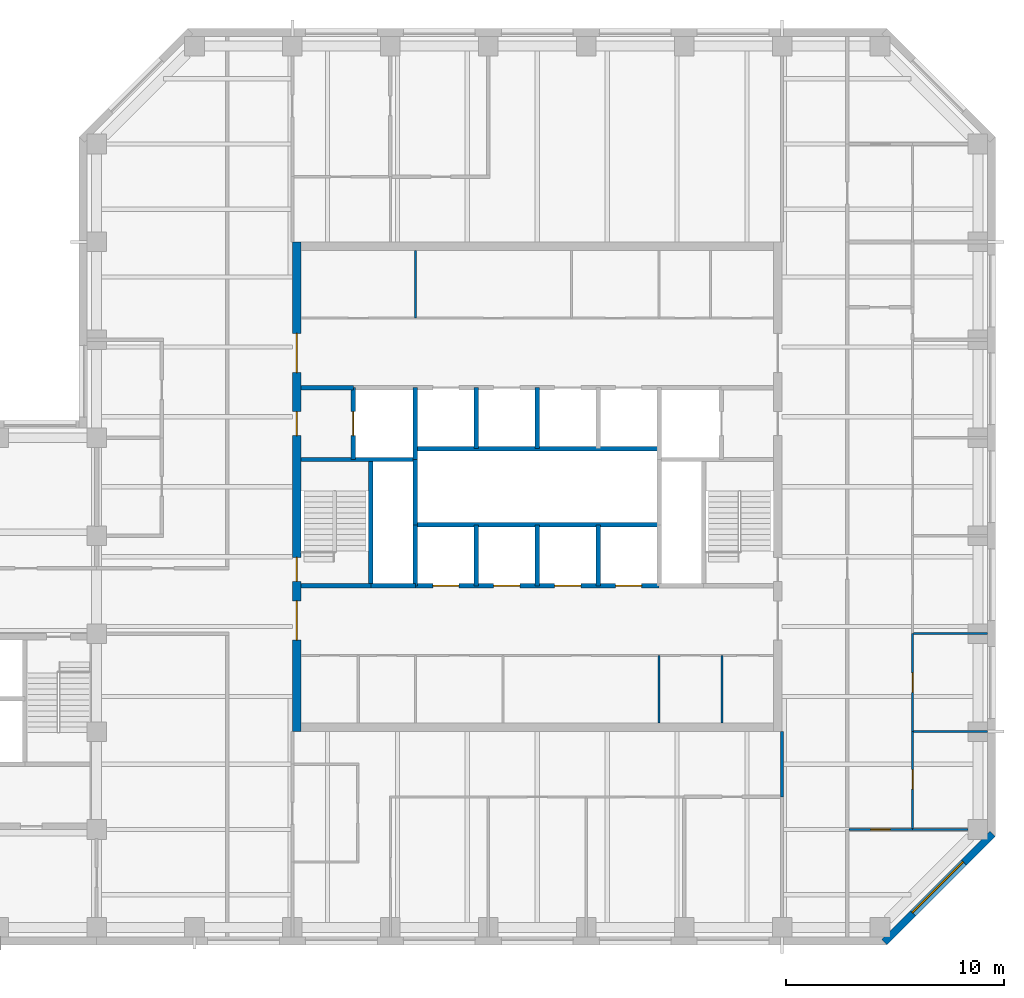
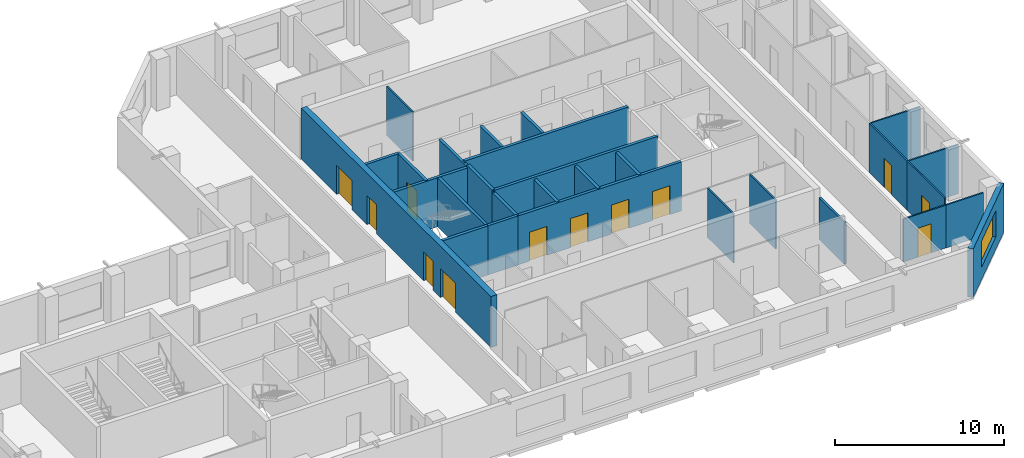
# One storey, part 5 of 9: 29 walls, 12 doors, 1 window, 13 openings.
"""IFC4 building model written with IfcOpenShell, lengths in metres."""

from ifc_helpers import new_model, si_unit, direction, frame, frame_2d, origin, place, context, subcontext, project, spatial, rectangle, extrude, material, layer, layer_set, constituent, constituent_set, type_object, element, fill, save


model = new_model("IFC4")

# Units and contexts
model_context = context("Model", 3, precision=1e-05, world=origin(), true_north=direction((0.0, 1.0)))
body_context = subcontext(model_context, "Body", "Model", "MODEL_VIEW")
ifc_project = project(units=[si_unit("LENGTHUNIT", "METRE"), si_unit("AREAUNIT", "SQUARE_METRE"), si_unit("VOLUMEUNIT", "CUBIC_METRE"), si_unit("PLANEANGLEUNIT", "RADIAN"), si_unit("MASSUNIT", "GRAM", prefix="KILO")], contexts=[model_context])

# Site, building, storey
site_placement = place(None, origin())
site = spatial("IfcSite", under=ifc_project, at=site_placement, CompositionType="ELEMENT")
building_placement = place(site_placement, origin())
building = spatial("IfcBuilding", under=site, at=building_placement, Name="Quoin Convention Tower", CompositionType="ELEMENT")
storey_placement = place(building_placement, frame((0.0, 0.0, 199.5)))
storey = spatial("IfcBuildingStorey", under=building, at=storey_placement, Name="L52", CompositionType="ELEMENT", Elevation=199.5)

# Wall, opening, window
ifc_material_1 = material(Name="Brick masonry", Category="masonry")
ifc_layer_1 = layer(ifc_material_1, 0.35009765625)
ifc_layer_set_1 = layer_set([ifc_layer_1], Name="Brick masonry")
wall_type_1 = type_object("IfcWallType", Name="Brick facade wall", PredefinedType="STANDARD", material=ifc_layer_set_1)
wall_1_placement = place(storey_placement, frame((72.20751953125, 39.82373046875, 0.0), z_axis=(0.0, 0.0, 1.0), x_axis=(0.707106781187, 0.707106781187, 0.0)))
wall_1 = element("IfcWall", 1, at=wall_1_placement, inside=storey, type_object=wall_type_1, Name="fw-L52-72000_40500", PredefinedType="STANDARD", context=body_context, shape_type="SweptSolid", body=[
    extrude(rectangle(XDim=7.02685546875, YDim=0.35009765625, at=frame_2d((3.513427734375, 0.0))), origin(), (0.0, 0.0, 1.0), 3.52490234375),
])
opening_1_placement = place(wall_1_placement, frame((1.86328125, 0.0, 0.89990234375)))
opening_1 = element("IfcOpeningElement", 2, at=opening_1_placement, cuts=wall_1, Name="Opening W-02", PredefinedType="OPENING", context=body_context, shape_type="SweptSolid", body=[
    extrude(rectangle(XDim=3.300048828125, YDim=1.89990234375, at=frame_2d((1.64990234375, 0.949951171875))), frame((0.0, 0.18505859375, 0.0), z_axis=(0.0, -1.0, 0.0), x_axis=(1.0, 0.0, 0.0)), (0.0, 0.0, 1.0), 0.3701171875),
])
ifc_material_2 = material(Name="Aluminium", Category="aluminium")
ifc_constituent_1 = constituent(ifc_material_2, Name="Frame")
ifc_material_3 = material(Name="Insulated glass", Category="glass")
ifc_constituent_2 = constituent(ifc_material_3, Name="Glazing")
ifc_constituent_set = constituent_set(constituents=[ifc_constituent_1, ifc_constituent_2], Name="Aluminium")
window_type = type_object("IfcWindowType", Name="Office window", PartitioningType="DOUBLE_PANEL_VERTICAL", PredefinedType="WINDOW", material=ifc_constituent_set)
window_placement = place(opening_1_placement, origin())
window = element("IfcWindow", 3, at=window_placement, inside=storey, type_object=window_type, Name="win-L52-74692_42308", OverallHeight=1.89990234375, OverallWidth=3.300048828125, PartitioningType="SINGLE_PANEL", PredefinedType="WINDOW", context=body_context, shape_type="SweptSolid", body=[
    extrude(rectangle(XDim=3.300048828125, YDim=1.89990234375, at=frame_2d((1.64990234375, 0.949951171875))), frame((0.0, 0.0849609375, 0.0), z_axis=(0.0, -1.0, 0.0), x_axis=(1.0, 0.0, 0.0)), (0.0, 0.0, 1.0), 0.06005859375),
])
fill(opening_1, window)

# Walls
ifc_material_4 = material(Name="Plasterboard")
ifc_layer_2 = layer(ifc_material_4, 0.012451171875, Name="Finish")
ifc_material_5 = material(Name="Steel stud framing", Category="steel")
ifc_layer_3 = layer(ifc_material_5, 0.074951171875, Name="Structure")
ifc_layer_4 = layer(ifc_material_4, 0.012451171875, Name="Finish")
ifc_layer_set_2 = layer_set([ifc_layer_2, ifc_layer_3, ifc_layer_4], Name="Steel stud framing")
wall_type_2 = type_object("IfcWallType", Name="Core partition wall", PredefinedType="PARTITIONING", material=ifc_layer_set_2)
for number, where, z_axis, x_axis, name in (
    (4, (50.64990234375, 68.5, 0.0), (0.0, 0.0, 1.0), (0.0, 1.0, 0.0), "cr-C1-L52-v5650_19000"),
    (5, (61.85009765625, 49.89990234375, 0.0), (0.0, 0.0, 1.0), (0.0, 1.0, 0.0), "cr-C1-L52-v16850_400"),
    (6, (64.737548828125, 49.89990234375, 0.0), (0.0, 0.0, 1.0), (0.0, 1.0, 0.0), "cr-C1-L52-v19738_400"),
):
    element("IfcWall", number, at=place(storey_placement, frame(where, z_axis=z_axis, x_axis=x_axis)), inside=storey, type_object=wall_type_2, Name=name, PredefinedType="PARTITIONING", context=body_context, shape_type="SweptSolid", body=[
        extrude(rectangle(XDim=3.10009765625, YDim=0.10009765625, at=frame_2d((1.550048828125, 0.0))), origin(), (0.0, 0.0, 1.0), 3.550048828125),
    ])
ifc_material_6 = material(Name="Concrete C50", Category="concrete")
ifc_layer_5 = layer(ifc_material_6, 0.199951171875)
ifc_layer_set_3 = layer_set([ifc_layer_5], Name="Concrete C50")
wall_type_3 = type_object("IfcWallType", Name="Core shaft wall", PredefinedType="SOLIDWALL", material=ifc_layer_set_3)
wall_2_placement = place(storey_placement, frame((48.60009765625, 56.199951171875, 0.0), z_axis=(0.0, 0.0, 1.0), x_axis=(1.0, 0.0, 0.0)))
element("IfcWall", 7, at=wall_2_placement, inside=storey, type_object=wall_type_3, Name="cr-C1-L52-h6700_3600", PredefinedType="SOLIDWALL", context=body_context, shape_type="SweptSolid", body=[
    extrude(rectangle(XDim=2.0498046875, YDim=0.199951171875, at=frame_2d((1.02490234375, 0.0))), origin(), (0.0, 0.0, 1.0), 3.550048828125),
])
wall_3_placement = place(storey_placement, frame((45.39990234375, 56.199951171875, 0.0), z_axis=(0.0, 0.0, 1.0), x_axis=(1.0, 0.0, 0.0)))
element("IfcWall", 8, at=wall_3_placement, inside=storey, type_object=wall_type_3, Name="cr-C1-L52-h6700_400", PredefinedType="SOLIDWALL", context=body_context, shape_type="SweptSolid", body=[
    extrude(rectangle(XDim=3.2001953125, YDim=0.199951171875, at=frame_2d((1.60009765625, 0.0))), origin(), (0.0, 0.0, 1.0), 3.550048828125),
])

# Wall, openings, doors
wall_4_placement = place(storey_placement, frame((50.64990234375, 56.199951171875, 0.0), z_axis=(0.0, 0.0, 1.0), x_axis=(1.0, 0.0, 0.0)))
wall_4 = element("IfcWall", 9, at=wall_4_placement, inside=storey, type_object=wall_type_3, Name="cr-C1-L52-h6700_5650", PredefinedType="SOLIDWALL", context=body_context, shape_type="SweptSolid", body=[
    extrude(rectangle(XDim=11.2001953125, YDim=0.199951171875, at=frame_2d((5.60009765625, 0.0))), origin(), (0.0, 0.0, 1.0), 3.550048828125),
])
opening_2_placement = place(wall_4_placement, frame((0.800048828125, 0.0, 0.0)))
opening_2 = element("IfcOpeningElement", 10, at=opening_2_placement, cuts=wall_4, Name="Opening LDH1", PredefinedType="OPENING", context=body_context, shape_type="SweptSolid", body=[
    extrude(rectangle(XDim=1.199951171875, YDim=2.10009765625, at=frame_2d((0.60009765625, 1.050048828125))), frame((0.0, 0.10986328125, 0.0), z_axis=(0.0, -1.0, 0.0), x_axis=(1.0, 0.0, 0.0)), (0.0, 0.0, 1.0), 0.219970703125),
])
opening_3_placement = place(wall_4_placement, frame((3.60009765625, 0.0, 0.0)))
opening_3 = element("IfcOpeningElement", 11, at=opening_3_placement, cuts=wall_4, Name="Opening LDH2", PredefinedType="OPENING", context=body_context, shape_type="SweptSolid", body=[
    extrude(rectangle(XDim=1.199951171875, YDim=2.10009765625, at=frame_2d((0.60009765625, 1.050048828125))), frame((0.0, 0.10986328125, 0.0), z_axis=(0.0, -1.0, 0.0), x_axis=(1.0, 0.0, 0.0)), (0.0, 0.0, 1.0), 0.219970703125),
])
opening_4_placement = place(wall_4_placement, frame((6.39990234375, 0.0, 0.0)))
opening_4 = element("IfcOpeningElement", 12, at=opening_4_placement, cuts=wall_4, Name="Opening LDH3", PredefinedType="OPENING", context=body_context, shape_type="SweptSolid", body=[
    extrude(rectangle(XDim=1.199951171875, YDim=2.10009765625, at=frame_2d((0.60009765625, 1.050048828125))), frame((0.0, 0.10986328125, 0.0), z_axis=(0.0, -1.0, 0.0), x_axis=(1.0, 0.0, 0.0)), (0.0, 0.0, 1.0), 0.219970703125),
])
opening_5_placement = place(wall_4_placement, frame((9.199951171875, 0.0, 0.0)))
opening_5 = element("IfcOpeningElement", 13, at=opening_5_placement, cuts=wall_4, Name="Opening LDH4", PredefinedType="OPENING", context=body_context, shape_type="SweptSolid", body=[
    extrude(rectangle(XDim=1.199951171875, YDim=2.10009765625, at=frame_2d((0.60009765625, 1.050048828125))), frame((0.0, 0.10986328125, 0.0), z_axis=(0.0, -1.0, 0.0), x_axis=(1.0, 0.0, 0.0)), (0.0, 0.0, 1.0), 0.219970703125),
])
ifc_material_7 = material(Name="Steel door leaf", Category="steel")
door_type_1 = type_object("IfcDoorType", Name="Lift landing door 1200 x 2100", OperationType="DOUBLE_DOOR_SLIDING", PredefinedType="DOOR", material=ifc_material_7)
door_1_placement = place(opening_2_placement, origin())
door_1 = element("IfcDoor", 14, at=door_1_placement, inside=storey, type_object=door_type_1, Name="cd-C1-L52-R20-lobA-LDH1", OperationType="DOUBLE_DOOR_SLIDING", OverallHeight=2.10009765625, OverallWidth=1.199951171875, PredefinedType="DOOR", context=body_context, shape_type="SweptSolid", body=[
    extrude(rectangle(XDim=1.199951171875, YDim=2.10009765625, at=frame_2d((0.60009765625, 1.050048828125))), frame((0.0, 0.02490234375, 0.0), z_axis=(0.0, -1.0, 0.0), x_axis=(1.0, 0.0, 0.0)), (0.0, 0.0, 1.0), 0.050048828125),
])
fill(opening_2, door_1)
door_2_placement = place(opening_3_placement, origin())
door_2 = element("IfcDoor", 15, at=door_2_placement, inside=storey, type_object=door_type_1, Name="cd-C1-L52-R21-lobA-LDH2", OperationType="DOUBLE_DOOR_SLIDING", OverallHeight=2.10009765625, OverallWidth=1.199951171875, PredefinedType="DOOR", context=body_context, shape_type="SweptSolid", body=[
    extrude(rectangle(XDim=1.199951171875, YDim=2.10009765625, at=frame_2d((0.60009765625, 1.050048828125))), frame((0.0, 0.02490234375, 0.0), z_axis=(0.0, -1.0, 0.0), x_axis=(1.0, 0.0, 0.0)), (0.0, 0.0, 1.0), 0.050048828125),
])
fill(opening_3, door_2)
door_3_placement = place(opening_4_placement, origin())
door_3 = element("IfcDoor", 16, at=door_3_placement, inside=storey, type_object=door_type_1, Name="cd-C1-L52-R22-lobA-LDH3", OperationType="DOUBLE_DOOR_SLIDING", OverallHeight=2.10009765625, OverallWidth=1.199951171875, PredefinedType="DOOR", context=body_context, shape_type="SweptSolid", body=[
    extrude(rectangle(XDim=1.199951171875, YDim=2.10009765625, at=frame_2d((0.60009765625, 1.050048828125))), frame((0.0, 0.02490234375, 0.0), z_axis=(0.0, -1.0, 0.0), x_axis=(1.0, 0.0, 0.0)), (0.0, 0.0, 1.0), 0.050048828125),
])
fill(opening_4, door_3)
door_4_placement = place(opening_5_placement, origin())
door_4 = element("IfcDoor", 17, at=door_4_placement, inside=storey, type_object=door_type_1, Name="cd-C1-L52-R23-lobA-LDH4", OperationType="DOUBLE_DOOR_SLIDING", OverallHeight=2.10009765625, OverallWidth=1.199951171875, PredefinedType="DOOR", context=body_context, shape_type="SweptSolid", body=[
    extrude(rectangle(XDim=1.199951171875, YDim=2.10009765625, at=frame_2d((0.60009765625, 1.050048828125))), frame((0.0, 0.02490234375, 0.0), z_axis=(0.0, -1.0, 0.0), x_axis=(1.0, 0.0, 0.0)), (0.0, 0.0, 1.0), 0.050048828125),
])
fill(opening_5, door_4)

# Walls
wall_5_placement = place(storey_placement, frame((45.39990234375, 62.0, 0.0), z_axis=(0.0, 0.0, 1.0), x_axis=(1.0, 0.0, 0.0)))
element("IfcWall", 18, at=wall_5_placement, inside=storey, type_object=wall_type_3, Name="cr-C1-L52-h12500_400", PredefinedType="SOLIDWALL", context=body_context, shape_type="SweptSolid", body=[
    extrude(rectangle(XDim=5.25, YDim=0.199951171875, at=frame_2d((2.625, 0.0))), origin(), (0.0, 0.0, 1.0), 3.550048828125),
])
wall_6_placement = place(storey_placement, frame((45.39990234375, 65.300048828125, 0.0), z_axis=(0.0, 0.0, 1.0), x_axis=(1.0, 0.0, 0.0)))
element("IfcWall", 19, at=wall_6_placement, inside=storey, type_object=wall_type_3, Name="cr-C1-L52-h15800_400", PredefinedType="SOLIDWALL", context=body_context, shape_type="SweptSolid", body=[
    extrude(rectangle(XDim=2.400146484375, YDim=0.199951171875, at=frame_2d((1.2001953125, 0.0))), origin(), (0.0, 0.0, 1.0), 3.550048828125),
])

# Wall, opening, door
wall_7_placement = place(storey_placement, frame((47.800048828125, 62.0, 0.0), z_axis=(0.0, 0.0, 1.0), x_axis=(0.0, 1.0, 0.0)))
wall_7 = element("IfcWall", 20, at=wall_7_placement, inside=storey, type_object=wall_type_3, Name="cr-C1-L52-v2800_12500", PredefinedType="SOLIDWALL", context=body_context, shape_type="SweptSolid", body=[
    extrude(rectangle(XDim=3.300048828125, YDim=0.199951171875, at=frame_2d((1.64990234375, 0.0))), origin(), (0.0, 0.0, 1.0), 3.550048828125),
])
opening_6_placement = place(wall_7_placement, frame((1.10009765625, 0.0, 0.0)))
opening_6 = element("IfcOpeningElement", 21, at=opening_6_placement, cuts=wall_7, Name="Opening LDFL1", PredefinedType="OPENING", context=body_context, shape_type="SweptSolid", body=[
    extrude(rectangle(XDim=1.10009765625, YDim=2.10009765625, at=frame_2d((0.550048828125, 1.050048828125))), frame((0.0, 0.10986328125, 0.0), z_axis=(0.0, -1.0, 0.0), x_axis=(1.0, 0.0, 0.0)), (0.0, 0.0, 1.0), 0.219970703125),
])
door_type_2 = type_object("IfcDoorType", Name="Lift landing door 1100 x 2100", OperationType="DOUBLE_DOOR_SLIDING", PredefinedType="DOOR", material=ifc_material_7)
door_5_placement = place(opening_6_placement, origin())
door_5 = element("IfcDoor", 22, at=door_5_placement, inside=storey, type_object=door_type_2, Name="cd-C1-L52-FLW-FFW-LDFL1", OperationType="DOUBLE_DOOR_SLIDING", OverallHeight=2.10009765625, OverallWidth=1.10009765625, PredefinedType="DOOR", context=body_context, shape_type="SweptSolid", body=[
    extrude(rectangle(XDim=1.10009765625, YDim=2.10009765625, at=frame_2d((0.550048828125, 1.050048828125))), frame((0.0, 0.02490234375, 0.0), z_axis=(0.0, -1.0, 0.0), x_axis=(1.0, 0.0, 0.0)), (0.0, 0.0, 1.0), 0.050048828125),
])
fill(opening_6, door_5)

# Walls
wall_8_placement = place(storey_placement, frame((48.60009765625, 56.199951171875, 0.0), z_axis=(0.0, 0.0, 1.0), x_axis=(0.0, 1.0, 0.0)))
element("IfcWall", 23, at=wall_8_placement, inside=storey, type_object=wall_type_3, Name="cr-C1-L52-v3600_6700", PredefinedType="SOLIDWALL", context=body_context, shape_type="SweptSolid", body=[
    extrude(rectangle(XDim=5.800048828125, YDim=0.199951171875, at=frame_2d((2.89990234375, 0.0))), origin(), (0.0, 0.0, 1.0), 3.550048828125),
])
wall_9_placement = place(storey_placement, frame((50.64990234375, 56.199951171875, 0.0), z_axis=(0.0, 0.0, 1.0), x_axis=(0.0, 1.0, 0.0)))
element("IfcWall", 24, at=wall_9_placement, inside=storey, type_object=wall_type_3, Name="cr-C1-L52-v5650_6700", PredefinedType="SOLIDWALL", context=body_context, shape_type="SweptSolid", body=[
    extrude(rectangle(XDim=2.800048828125, YDim=0.199951171875, at=frame_2d((1.39990234375, 0.0))), origin(), (0.0, 0.0, 1.0), 3.550048828125),
])
wall_10_placement = place(storey_placement, frame((50.64990234375, 62.0, 0.0), z_axis=(0.0, 0.0, 1.0), x_axis=(0.0, 1.0, 0.0)))
element("IfcWall", 25, at=wall_10_placement, inside=storey, type_object=wall_type_3, Name="cr-C1-L52-v5650_12500", PredefinedType="SOLIDWALL", context=body_context, shape_type="SweptSolid", body=[
    extrude(rectangle(XDim=3.300048828125, YDim=0.199951171875, at=frame_2d((1.64990234375, 0.0))), origin(), (0.0, 0.0, 1.0), 3.550048828125),
])
for number, where, z_axis, x_axis, name in (
    (26, (53.449951171875, 56.199951171875, 0.0), (0.0, 0.0, 1.0), (0.0, 1.0, 0.0), "cr-C1-L52-v8450_6700"),
    (27, (53.449951171875, 62.5, 0.0), (0.0, 0.0, 1.0), (0.0, 1.0, 0.0), "cr-C1-L52-v8450_13000"),
    (28, (56.25, 56.199951171875, 0.0), (0.0, 0.0, 1.0), (0.0, 1.0, 0.0), "cr-C1-L52-v11250_6700"),
    (29, (56.25, 62.5, 0.0), (0.0, 0.0, 1.0), (0.0, 1.0, 0.0), "cr-C1-L52-v11250_13000"),
    (30, (59.050048828125, 56.199951171875, 0.0), (0.0, 0.0, 1.0), (0.0, 1.0, 0.0), "cr-C1-L52-v14050_6700"),
):
    element("IfcWall", number, at=place(storey_placement, frame(where, z_axis=z_axis, x_axis=x_axis)), inside=storey, type_object=wall_type_3, Name=name, PredefinedType="SOLIDWALL", context=body_context, shape_type="SweptSolid", body=[
        extrude(rectangle(XDim=2.800048828125, YDim=0.199951171875, at=frame_2d((1.39990234375, 0.0))), origin(), (0.0, 0.0, 1.0), 3.550048828125),
    ])
ifc_layer_6 = layer(ifc_material_6, 0.199951171875)
ifc_layer_set_4 = layer_set([ifc_layer_6], Name="Concrete C50")
wall_type_4 = type_object("IfcWallType", Name="Core shaft wall to the floor level over", PredefinedType="SOLIDWALL", material=ifc_layer_set_4)
for number, where, z_axis, x_axis, name in (
    (31, (50.64990234375, 59.0, 0.0), (0.0, 0.0, 1.0), (1.0, 0.0, 0.0), "cr-C1-L52-h9500_5650"),
    (32, (50.64990234375, 62.5, 0.0), (0.0, 0.0, 1.0), (1.0, 0.0, 0.0), "cr-C1-L52-h13000_5650"),
):
    element("IfcWall", number, at=place(storey_placement, frame(where, z_axis=z_axis, x_axis=x_axis)), inside=storey, type_object=wall_type_4, Name=name, PredefinedType="SOLIDWALL", context=body_context, shape_type="SweptSolid", body=[
        extrude(rectangle(XDim=11.2001953125, YDim=0.199951171875, at=frame_2d((5.60009765625, 0.0))), origin(), (0.0, 0.0, 1.0), 3.699951171875),
    ])
wall_11_placement = place(storey_placement, frame((50.64990234375, 59.0, 0.0), z_axis=(0.0, 0.0, 1.0), x_axis=(0.0, 1.0, 0.0)))
element("IfcWall", 33, at=wall_11_placement, inside=storey, type_object=wall_type_4, Name="cr-C1-L52-v5650_9500", PredefinedType="SOLIDWALL", context=body_context, shape_type="SweptSolid", body=[
    extrude(rectangle(XDim=3.0, YDim=0.199951171875, at=frame_2d((1.5, 0.0))), origin(), (0.0, 0.0, 1.0), 3.699951171875),
])
ifc_layer_7 = layer(ifc_material_4, 0.012451171875, Name="Finish")
ifc_layer_8 = layer(ifc_material_5, 0.125, Name="Structure")
ifc_layer_9 = layer(ifc_material_4, 0.012451171875, Name="Finish")
ifc_layer_set_5 = layer_set([ifc_layer_7, ifc_layer_8, ifc_layer_9], Name="Steel stud framing")
wall_type_5 = type_object("IfcWallType", Name="Corridor wall 150 under beam 528", PredefinedType="PARTITIONING", material=ifc_layer_set_5)
wall_12_placement = place(storey_placement, frame((67.5, 46.5, 0.0), z_axis=(0.0, 0.0, 1.0), x_axis=(0.0, 1.0, 0.0)))
element("IfcWall", 34, at=wall_12_placement, inside=storey, type_object=wall_type_5, Name="pw-L52-055", PredefinedType="PARTITIONING", context=body_context, shape_type="SweptSolid", body=[
    extrude(rectangle(XDim=3.0, YDim=0.14990234375, at=frame_2d((1.5, 0.0))), origin(), (0.0, 0.0, 1.0), 3.02197265625),
])

# Wall, openings, doors
ifc_layer_10 = layer(ifc_material_6, 0.39990234375)
ifc_layer_set_6 = layer_set([ifc_layer_10], Name="Concrete C50")
wall_type_6 = type_object("IfcWallType", Name="RC CORE WALL 400 C50", PredefinedType="SHEAR", material=ifc_layer_set_6)
wall_13_placement = place(storey_placement, frame((45.199951171875, 49.5, 0.0), z_axis=(0.0, 0.0, 1.0), x_axis=(0.0, 1.0, 0.0)))
wall_13 = element("IfcWall", 35, at=wall_13_placement, inside=storey, type_object=wall_type_6, Name="cwl-C1-L52-W", PredefinedType="SHEAR", context=body_context, shape_type="SweptSolid", body=[
    extrude(rectangle(XDim=22.5, YDim=0.39990234375, at=frame_2d((11.25, 0.0))), origin(), (0.0, 0.0, 1.0), 3.699951171875),
])
opening_7_placement = place(wall_13_placement, frame((4.199951171875, 0.0, 0.0)))
opening_7 = element("IfcOpeningElement", 36, at=opening_7_placement, cuts=wall_13, Name="Opening DCV0-59", PredefinedType="OPENING", context=body_context, shape_type="SweptSolid", body=[
    extrude(rectangle(XDim=1.800048828125, YDim=2.10009765625, at=frame_2d((0.89990234375, 1.050048828125))), frame((0.0, 0.2099609375, 0.0), z_axis=(0.0, -1.0, 0.0), x_axis=(1.0, 0.0, 0.0)), (0.0, 0.0, 1.0), 0.419921875),
])
opening_8_placement = place(wall_13_placement, frame((6.89990234375, 0.0, 0.0)))
opening_8 = element("IfcOpeningElement", 37, at=opening_8_placement, cuts=wall_13, Name="Opening SD1", PredefinedType="OPENING", context=body_context, shape_type="SweptSolid", body=[
    extrude(rectangle(XDim=1.10009765625, YDim=2.10009765625, at=frame_2d((0.550048828125, 1.050048828125))), frame((0.0, 0.2099609375, 0.0), z_axis=(0.0, -1.0, 0.0), x_axis=(1.0, 0.0, 0.0)), (0.0, 0.0, 1.0), 0.419921875),
])
opening_9_placement = place(wall_13_placement, frame((13.60009765625, 0.0, 0.0)))
opening_9 = element("IfcOpeningElement", 38, at=opening_9_placement, cuts=wall_13, Name="Opening DCV0-58", PredefinedType="OPENING", context=body_context, shape_type="SweptSolid", body=[
    extrude(rectangle(XDim=1.10009765625, YDim=2.10009765625, at=frame_2d((0.550048828125, 1.050048828125))), frame((0.0, 0.2099609375, 0.0), z_axis=(0.0, -1.0, 0.0), x_axis=(1.0, 0.0, 0.0)), (0.0, 0.0, 1.0), 0.419921875),
])
opening_10_placement = place(wall_13_placement, frame((16.5, 0.0, 0.0)))
opening_10 = element("IfcOpeningElement", 39, at=opening_10_placement, cuts=wall_13, Name="Opening DCV0-59", PredefinedType="OPENING", context=body_context, shape_type="SweptSolid", body=[
    extrude(rectangle(XDim=1.800048828125, YDim=2.10009765625, at=frame_2d((0.89990234375, 1.050048828125))), frame((0.0, 0.2099609375, 0.0), z_axis=(0.0, -1.0, 0.0), x_axis=(1.0, 0.0, 0.0)), (0.0, 0.0, 1.0), 0.419921875),
])
door_type_3 = type_object("IfcDoorType", Name="Fire-fighting lobby door 1100 x 2100", OperationType="SINGLE_SWING_LEFT", PredefinedType="DOOR", material=ifc_material_7)
door_6_placement = place(opening_9_placement, frame((1.10009765625, 0.0, 0.0), z_axis=(0.0, 0.0, 1.0), x_axis=(-1.0, 0.0, 0.0)))
door_6 = element("IfcDoor", 40, at=door_6_placement, inside=storey, type_object=door_type_3, Name="cd-C1-L52-FFW-W", OperationType="SINGLE_SWING_LEFT", OverallHeight=2.10009765625, OverallWidth=1.10009765625, PredefinedType="DOOR", context=body_context, shape_type="SweptSolid", body=[
    extrude(rectangle(XDim=1.10009765625, YDim=2.10009765625, at=frame_2d((0.550048828125, 1.050048828125))), frame((0.0, 0.02490234375, 0.0), z_axis=(0.0, -1.0, 0.0), x_axis=(1.0, 0.0, 0.0)), (0.0, 0.0, 1.0), 0.050048828125),
])
fill(opening_9, door_6)
door_type_4 = type_object("IfcDoorType", Name="Lift lobby door 1800 x 2100", OperationType="SINGLE_SWING_LEFT", PredefinedType="DOOR", material=ifc_material_7)
door_7_placement = place(opening_7_placement, frame((1.800048828125, 0.0, 0.0), z_axis=(0.0, 0.0, 1.0), x_axis=(-1.0, 0.0, 0.0)))
door_7 = element("IfcDoor", 41, at=door_7_placement, inside=storey, type_object=door_type_4, Name="cd-C1-L52-lobA-W", OperationType="SINGLE_SWING_LEFT", OverallHeight=2.10009765625, OverallWidth=1.800048828125, PredefinedType="DOOR", context=body_context, shape_type="SweptSolid", body=[
    extrude(rectangle(XDim=1.800048828125, YDim=2.10009765625, at=frame_2d((0.89990234375, 1.050048828125))), frame((0.0, 0.02490234375, 0.0), z_axis=(0.0, -1.0, 0.0), x_axis=(1.0, 0.0, 0.0)), (0.0, 0.0, 1.0), 0.050048828125),
])
fill(opening_7, door_7)
door_8_placement = place(opening_10_placement, frame((1.800048828125, 0.0, 0.0), z_axis=(0.0, 0.0, 1.0), x_axis=(-1.0, 0.0, 0.0)))
door_8 = element("IfcDoor", 42, at=door_8_placement, inside=storey, type_object=door_type_4, Name="cd-C1-L52-lobB-W", OperationType="SINGLE_SWING_LEFT", OverallHeight=2.10009765625, OverallWidth=1.800048828125, PredefinedType="DOOR", context=body_context, shape_type="SweptSolid", body=[
    extrude(rectangle(XDim=1.800048828125, YDim=2.10009765625, at=frame_2d((0.89990234375, 1.050048828125))), frame((0.0, 0.02490234375, 0.0), z_axis=(0.0, -1.0, 0.0), x_axis=(1.0, 0.0, 0.0)), (0.0, 0.0, 1.0), 0.050048828125),
])
fill(opening_10, door_8)
door_type_5 = type_object("IfcDoorType", Name="Stair door 1100 x 2100", OperationType="SINGLE_SWING_RIGHT", PredefinedType="DOOR", material=ifc_material_7)
door_9_placement = place(opening_8_placement, frame((1.10009765625, 0.0, 0.0), z_axis=(0.0, 0.0, 1.0), x_axis=(-1.0, 0.0, 0.0)))
door_9 = element("IfcDoor", 43, at=door_9_placement, inside=storey, type_object=door_type_5, Name="cd-C1-L52-STW-W", OperationType="SINGLE_SWING_RIGHT", OverallHeight=2.10009765625, OverallWidth=1.10009765625, PredefinedType="DOOR", context=body_context, shape_type="SweptSolid", body=[
    extrude(rectangle(XDim=1.10009765625, YDim=2.10009765625, at=frame_2d((0.550048828125, 1.050048828125))), frame((0.0, 0.02490234375, 0.0), z_axis=(0.0, -1.0, 0.0), x_axis=(1.0, 0.0, 0.0)), (0.0, 0.0, 1.0), 0.050048828125),
])
fill(opening_8, door_9)

# Walls
ifc_layer_11 = layer(ifc_material_4, 0.012451171875, Name="Finish")
ifc_layer_12 = layer(ifc_material_5, 0.074951171875, Name="Structure")
ifc_layer_13 = layer(ifc_material_4, 0.012451171875, Name="Finish")
ifc_layer_set_7 = layer_set([ifc_layer_11, ifc_layer_12, ifc_layer_13], Name="Steel stud framing")
wall_type_7 = type_object("IfcWallType", Name="Stud partition 100", PredefinedType="PARTITIONING", material=ifc_layer_set_7)
for number, where, z_axis, x_axis, name in (
    (44, (73.550048828125, 49.5, 0.0), (0.0, 0.0, 1.0), (1.0, 0.0, 0.0), "pw-L52-014"),
    (45, (73.550048828125, 54.0, 0.0), (0.0, 0.0, 1.0), (1.0, 0.0, 0.0), "pw-L52-018"),
):
    element("IfcWall", number, at=place(storey_placement, frame(where, z_axis=z_axis, x_axis=x_axis)), inside=storey, type_object=wall_type_7, Name=name, PredefinedType="PARTITIONING", context=body_context, shape_type="SweptSolid", body=[
        extrude(rectangle(XDim=3.39990234375, YDim=0.10009765625, at=frame_2d((1.699951171875, 0.0))), origin(), (0.0, 0.0, 1.0), 3.550048828125),
    ])

# Wall, opening, door
wall_14_placement = place(storey_placement, frame((73.5, 45.050048828125, 0.0), z_axis=(0.0, 0.0, 1.0), x_axis=(0.0, 1.0, 0.0)))
wall_14 = element("IfcWall", 46, at=wall_14_placement, inside=storey, type_object=wall_type_7, Name="pw-L52-053", PredefinedType="PARTITIONING", context=body_context, shape_type="SweptSolid", body=[
    extrude(rectangle(XDim=4.449951171875, YDim=0.10009765625, at=frame_2d((2.22509765625, 0.0))), origin(), (0.0, 0.0, 1.0), 3.550048828125),
])
opening_11_placement = place(wall_14_placement, frame((1.800048828125, 0.0, 0.0)))
opening_11 = element("IfcOpeningElement", 47, at=opening_11_placement, cuts=wall_14, Name="Opening DOH8-16", PredefinedType="OPENING", context=body_context, shape_type="SweptSolid", body=[
    extrude(rectangle(XDim=0.89990234375, YDim=2.10009765625, at=frame_2d((0.449951171875, 1.050048828125))), frame((0.0, 0.06005859375, 0.0), z_axis=(0.0, -1.0, 0.0), x_axis=(1.0, 0.0, 0.0)), (0.0, 0.0, 1.0), 0.1201171875),
])
door_type_6 = type_object("IfcDoorType", Name="Office door 900 x 2100", OperationType="SINGLE_SWING_RIGHT", PredefinedType="DOOR", material=ifc_material_7)
door_10_placement = place(opening_11_placement, origin())
door_10 = element("IfcDoor", 48, at=door_10_placement, inside=storey, type_object=door_type_6, Name="dr-L52-26", OperationType="SINGLE_SWING_RIGHT", OverallHeight=2.10009765625, OverallWidth=0.89990234375, PredefinedType="DOOR", context=body_context, shape_type="SweptSolid", body=[
    extrude(rectangle(XDim=0.89990234375, YDim=2.10009765625, at=frame_2d((0.449951171875, 1.050048828125))), frame((0.0, 0.02490234375, 0.0), z_axis=(0.0, -1.0, 0.0), x_axis=(1.0, 0.0, 0.0)), (0.0, 0.0, 1.0), 0.050048828125),
])
fill(opening_11, door_10)

wall_15_placement = place(storey_placement, frame((73.5, 49.5, 0.0), z_axis=(0.0, 0.0, 1.0), x_axis=(0.0, 1.0, 0.0)))
wall_15 = element("IfcWall", 49, at=wall_15_placement, inside=storey, type_object=wall_type_7, Name="pw-L52-059", PredefinedType="PARTITIONING", context=body_context, shape_type="SweptSolid", body=[
    extrude(rectangle(XDim=4.5, YDim=0.10009765625, at=frame_2d((2.25, 0.0))), origin(), (0.0, 0.0, 1.0), 3.550048828125),
])
opening_12_placement = place(wall_15_placement, frame((1.800048828125, 0.0, 0.0)))
opening_12 = element("IfcOpeningElement", 50, at=opening_12_placement, cuts=wall_15, Name="Opening DOH8-17", PredefinedType="OPENING", context=body_context, shape_type="SweptSolid", body=[
    extrude(rectangle(XDim=0.89990234375, YDim=2.10009765625, at=frame_2d((0.449951171875, 1.050048828125))), frame((0.0, 0.06005859375, 0.0), z_axis=(0.0, -1.0, 0.0), x_axis=(1.0, 0.0, 0.0)), (0.0, 0.0, 1.0), 0.1201171875),
])
door_11_placement = place(opening_12_placement, origin())
door_11 = element("IfcDoor", 51, at=door_11_placement, inside=storey, type_object=door_type_6, Name="dr-L52-27", OperationType="SINGLE_SWING_RIGHT", OverallHeight=2.10009765625, OverallWidth=0.89990234375, PredefinedType="DOOR", context=body_context, shape_type="SweptSolid", body=[
    extrude(rectangle(XDim=0.89990234375, YDim=2.10009765625, at=frame_2d((0.449951171875, 1.050048828125))), frame((0.0, 0.02490234375, 0.0), z_axis=(0.0, -1.0, 0.0), x_axis=(1.0, 0.0, 0.0)), (0.0, 0.0, 1.0), 0.050048828125),
])
fill(opening_12, door_11)

ifc_layer_14 = layer(ifc_material_4, 0.012451171875, Name="Finish")
ifc_layer_15 = layer(ifc_material_5, 0.074951171875, Name="Structure")
ifc_layer_16 = layer(ifc_material_4, 0.012451171875, Name="Finish")
ifc_layer_set_8 = layer_set([ifc_layer_14, ifc_layer_15, ifc_layer_16], Name="Steel stud framing")
wall_type_8 = type_object("IfcWallType", Name="Stud partition 100 under beam 454", PredefinedType="PARTITIONING", material=ifc_layer_set_8)
wall_16_placement = place(storey_placement, frame((70.574951171875, 45.0, 0.0), z_axis=(0.0, 0.0, 1.0), x_axis=(1.0, 0.0, 0.0)))
wall_16 = element("IfcWall", 52, at=wall_16_placement, inside=storey, type_object=wall_type_8, Name="pw-L52-005", PredefinedType="PARTITIONING", context=body_context, shape_type="SweptSolid", body=[
    extrude(rectangle(XDim=2.925048828125, YDim=0.10009765625, at=frame_2d((1.46240234375, 0.0))), origin(), (0.0, 0.0, 1.0), 3.095947265625),
])
opening_13_placement = place(wall_16_placement, frame((1.0, 0.0, 0.0)))
opening_13 = element("IfcOpeningElement", 53, at=opening_13_placement, cuts=wall_16, Name="Opening DOH8-01", PredefinedType="OPENING", context=body_context, shape_type="SweptSolid", body=[
    extrude(rectangle(XDim=0.89990234375, YDim=2.10009765625, at=frame_2d((0.449951171875, 1.050048828125))), frame((0.0, 0.06005859375, 0.0), z_axis=(0.0, -1.0, 0.0), x_axis=(1.0, 0.0, 0.0)), (0.0, 0.0, 1.0), 0.1201171875),
])
door_12_placement = place(opening_13_placement, origin())
door_12 = element("IfcDoor", 54, at=door_12_placement, inside=storey, type_object=door_type_6, Name="dr-L52-25", OperationType="SINGLE_SWING_RIGHT", OverallHeight=2.10009765625, OverallWidth=0.89990234375, PredefinedType="DOOR", context=body_context, shape_type="SweptSolid", body=[
    extrude(rectangle(XDim=0.89990234375, YDim=2.10009765625, at=frame_2d((0.449951171875, 1.050048828125))), frame((0.0, 0.02490234375, 0.0), z_axis=(0.0, -1.0, 0.0), x_axis=(1.0, 0.0, 0.0)), (0.0, 0.0, 1.0), 0.050048828125),
])
fill(opening_13, door_12)

# Wall
wall_17_placement = place(storey_placement, frame((73.5, 45.0, 0.0), z_axis=(0.0, 0.0, 1.0), x_axis=(1.0, 0.0, 0.0)))
element("IfcWall", 55, at=wall_17_placement, inside=storey, type_object=wall_type_8, Name="pw-L52-006", PredefinedType="PARTITIONING", context=body_context, shape_type="SweptSolid", body=[
    extrude(rectangle(XDim=2.550048828125, YDim=0.10009765625, at=frame_2d((1.27490234375, 0.0))), origin(), (0.0, 0.0, 1.0), 3.095947265625),
])

save(model, "model.ifc")
